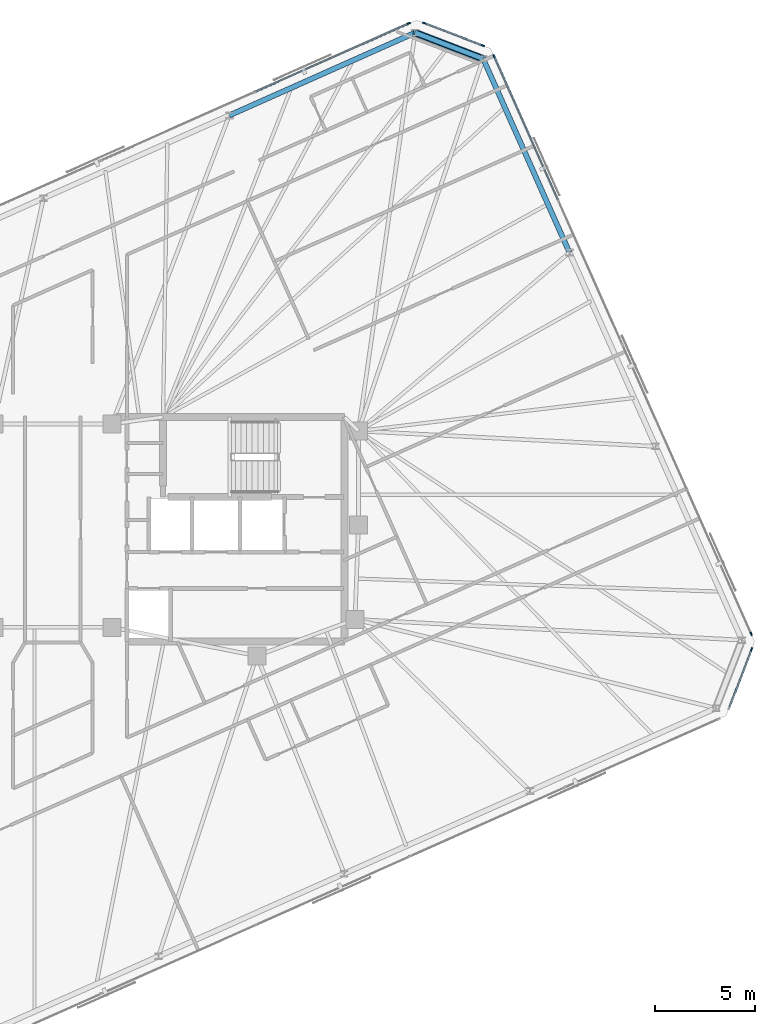
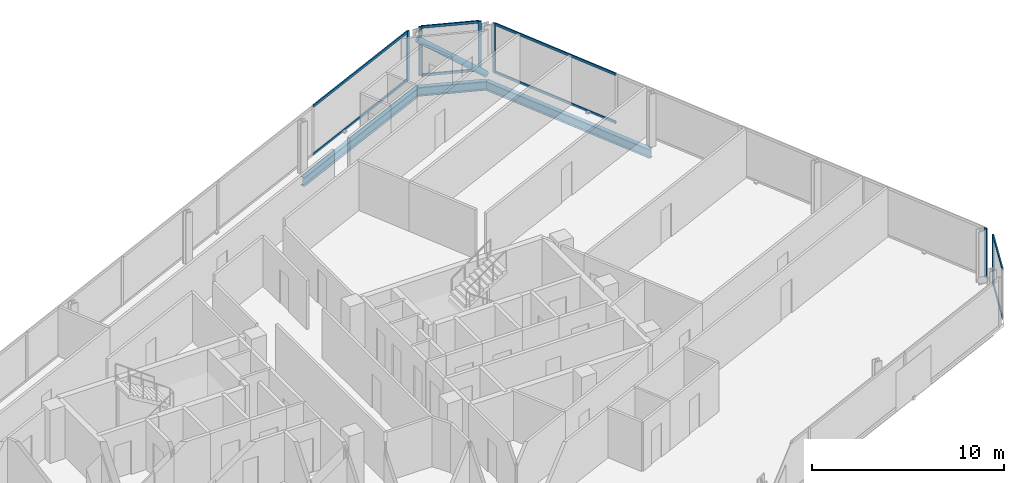
# One storey, part 11 of 18: 15 members, 3 beams, 4 elements without a shape of their own.
"""IFC4 building model written with IfcOpenShell, lengths in metres."""

import ifcopenshell
import ifcopenshell.guid

model = None  # the IFC model being written
_history = None  # IfcOwnerHistory: only IFC2X3 demands one
_inside = {}  # id of a spatial element -> (the spatial element, [elements in it])
_under = {}  # id of a project, library or spatial element -> (it, [spatial elements below it])
_declared = {}  # id of a project -> (the project, [libraries it declares])
_typed = {}  # id of a type object -> (the type object, [elements of that type])
_made_of = {}  # id of a material, layer set ... -> (it, [elements and type objects made of it])


def new_model(schema):
    """Start an empty IFC model of exactly this schema.

    Asked for "IFC4X3", IfcOpenShell would pick the latest addendum, in which some entities
    have other attributes; the version numbers below select the first issue.
    IFC2X3 requires an IfcOwnerHistory on every rooted entity: one is made here for all.
    """
    global model, _history
    if schema == "IFC4X3":
        model = ifcopenshell.file(schema_version=(4, 3, 0, 0))
    else:
        model = ifcopenshell.file(schema=schema)
    _inside.clear()
    _under.clear()
    _declared.clear()
    _typed.clear()
    _made_of.clear()
    _history = None
    if model.schema == "IFC2X3":
        org = make("IfcOrganization", Name="unknown")
        user = make(
            "IfcPersonAndOrganization",
            ThePerson=make("IfcPerson", FamilyName="unknown"),
            TheOrganization=org,
        )
        app = make(
            "IfcApplication",
            ApplicationDeveloper=org,
            Version="unknown",
            ApplicationFullName="unknown",
            ApplicationIdentifier="unknown",
        )
        _history = make(
            "IfcOwnerHistory",
            OwningUser=user,
            OwningApplication=app,
            ChangeAction="ADDED",
            CreationDate=0,
        )
    return model


def make(cls, **values):
    """One entity of the class cls with the attributes given. An attribute that is None is left unset."""
    return model.create_entity(
        cls, **{name: value for name, value in values.items() if value is not None}
    )


def rooted(cls, **values):
    """An entity with a GlobalId (a new one), such as an element, a storey or a relation."""
    return make(cls, GlobalId=ifcopenshell.guid.new(), OwnerHistory=_history, **values)


def si_unit(unit_type, name, prefix=None):
    """IfcSIUnit, for example si_unit("LENGTHUNIT", "METRE", prefix="MILLI")."""
    return make("IfcSIUnit", UnitType=unit_type, Prefix=prefix, Name=name)


def assignment(units):
    """IfcUnitAssignment: the units of a project."""
    return None if units is None else make("IfcUnitAssignment", Units=units)


def point(xyz):
    """IfcCartesianPoint."""
    return None if xyz is None else make("IfcCartesianPoint", Coordinates=xyz)


def direction(xyz):
    """IfcDirection."""
    return None if xyz is None else make("IfcDirection", DirectionRatios=xyz)


def frame(location, z_axis=None, x_axis=None):
    """IfcAxis2Placement3D, a coordinate frame: its origin and axes. An axis left out is left unset."""
    return make(
        "IfcAxis2Placement3D",
        Location=point(location),
        Axis=direction(z_axis),
        RefDirection=direction(x_axis),
    )


def frame_2d(location, x_axis=None):
    """IfcAxis2Placement2D, a coordinate frame in the plane: its origin and x axis."""
    return make(
        "IfcAxis2Placement2D", Location=point(location), RefDirection=direction(x_axis)
    )


def origin():
    """The frame at (0, 0, 0) with its axes left unset."""
    return frame((0.0, 0.0, 0.0))


def origin_2d():
    """The frame at (0, 0) in the plane with its x axis left unset."""
    return frame_2d((0.0, 0.0))


def place(relative_to, where):
    """IfcLocalPlacement: puts the frame where relative to a parent placement (None: the world)."""
    return make(
        "IfcLocalPlacement", PlacementRelTo=relative_to, RelativePlacement=where
    )


def context(
    kind, dimensions, precision=None, world=None, true_north=None, identifier=None
):
    """IfcGeometricRepresentationContext, for example the 3D "Model" context."""
    return make(
        "IfcGeometricRepresentationContext",
        ContextIdentifier=identifier,
        ContextType=kind,
        CoordinateSpaceDimension=dimensions,
        Precision=precision,
        WorldCoordinateSystem=world,
        TrueNorth=true_north,
    )


def subcontext(parent, identifier, kind, view, scale=None):
    """IfcGeometricRepresentationSubContext, for example "Body" below "Model"."""
    return make(
        "IfcGeometricRepresentationSubContext",
        ContextIdentifier=identifier,
        ContextType=kind,
        ParentContext=parent,
        TargetScale=scale,
        TargetView=view,
    )


def project(units=None, contexts=None):
    """IfcProject with its units and contexts."""
    return rooted(
        "IfcProject",
        Name="project",
        RepresentationContexts=contexts,
        UnitsInContext=assignment(units),
    )


def spatial(cls, under=None, at=None, **own):
    """A site, building, storey or space (cls), placed at a placement, below another one or the project."""
    s = rooted(cls, ObjectPlacement=at, **own)
    if under is not None:
        _under.setdefault(under.id(), (under, []))[1].append(s)
    return s


def profile(cls, at=None, kind="AREA", **sizes):
    """A parametric profile (cls). Its sizes go by their IFC names, for example OverallWidth=200.0."""
    return make(cls, ProfileType=kind, Position=at, **sizes)


def rectangle(**sizes):
    """IfcRectangleProfileDef."""
    return profile("IfcRectangleProfileDef", **sizes)


def hollow_circle(**sizes):
    """IfcCircleHollowProfileDef."""
    return profile("IfcCircleHollowProfileDef", **sizes)


def i_section(**sizes):
    """IfcIShapeProfileDef."""
    return profile("IfcIShapeProfileDef", **sizes)


def extrude(swept, where, along, depth):
    """IfcExtrudedAreaSolid: the profile swept, set in the frame where, extruded along a direction by depth."""
    return make(
        "IfcExtrudedAreaSolid",
        SweptArea=swept,
        Position=where,
        ExtrudedDirection=direction(along),
        Depth=depth,
    )


def shape(context_of_items, identifier, shape_type, items):
    """IfcShapeRepresentation: the items that make up one representation, for example the "Body"."""
    return make(
        "IfcShapeRepresentation",
        ContextOfItems=context_of_items,
        RepresentationIdentifier=identifier,
        RepresentationType=shape_type,
        Items=items,
    )


def material(Name=None, Category=None):
    """IfcMaterial."""
    return make("IfcMaterial", Name=Name, Category=Category)


def material_profile(
    of_material, cross_section, Name=None, Category=None, Priority=None
):
    """IfcMaterialProfile: a cross section and its material."""
    return make(
        "IfcMaterialProfile",
        Name=Name,
        Material=of_material,
        Profile=cross_section,
        Priority=Priority,
        Category=Category,
    )


def profile_set(profiles, Name=None, composite=None):
    """IfcMaterialProfileSet."""
    return make(
        "IfcMaterialProfileSet",
        Name=Name,
        MaterialProfiles=profiles,
        CompositeProfile=composite,
    )


def made_of(thing, what):
    """Note that an element or type object is made of a material, layer set ...; save() writes the relation."""
    if what is not None:
        _made_of.setdefault(what.id(), (what, []))[1].append(thing)
    return thing


def type_object(cls, material=None, **own):
    """A type object (cls), such as IfcWallType, which elements share."""
    return made_of(rooted(cls, **own), material)


def element(
    cls,
    number,
    at=None,
    inside=None,
    cuts=None,
    type_object=None,
    material=None,
    context=None,
    identifier="Body",
    shape_type=None,
    held_by="IfcProductDefinitionShape",
    body=None,
    shapes=None,
    **own,
):
    """One element of the class cls, such as IfcWall. Its Tag is "e" and its number.

    at: its placement. inside: the storey or other place that contains it. cuts: it is an
    opening in that element (IfcRelVoidsElement). A single representation is given by context,
    identifier, shape_type and body (its items); several are given by shapes. held_by: the class
    of the entity that holds the representations. save() writes the other relations.
    """
    e = rooted(cls, Tag="e%d" % number, ObjectPlacement=at, **own)
    if body is not None:
        shapes = [shape(context, identifier, shape_type, body)]
    if shapes is not None:
        e.Representation = make(held_by, Representations=shapes)
    if inside is not None:
        _inside.setdefault(inside.id(), (inside, []))[1].append(e)
    if cuts is not None:
        rooted(
            "IfcRelVoidsElement", RelatingBuildingElement=cuts, RelatedOpeningElement=e
        )
    if type_object is not None:
        _typed.setdefault(type_object.id(), (type_object, []))[1].append(e)
    return made_of(e, material)


def aggregate(whole, parts):
    """IfcRelAggregates: a whole, such as a stair, and the parts it consists of."""
    return rooted("IfcRelAggregates", RelatingObject=whole, RelatedObjects=parts)


def save(model, path):
    """Write the relations noted so far, then the file.

    IfcRelAggregates (storeys below a building ...), IfcRelContainedInSpatialStructure (elements
    in a storey), IfcRelDefinesByType, IfcRelAssociatesMaterial and IfcRelDeclares: one each for
    every whole, place, type object, material and project.
    """
    for whole, parts in _under.values():
        aggregate(whole, parts)
    for where, things in _inside.values():
        rooted(
            "IfcRelContainedInSpatialStructure",
            RelatedElements=things,
            RelatingStructure=where,
        )
    for kind, things in _typed.values():
        rooted("IfcRelDefinesByType", RelatedObjects=things, RelatingType=kind)
    for what, things in _made_of.values():
        rooted("IfcRelAssociatesMaterial", RelatedObjects=things, RelatingMaterial=what)
    for by, libraries in _declared.values():
        rooted("IfcRelDeclares", RelatingContext=by, RelatedDefinitions=libraries)
    model.write(path)


model = new_model("IFC4")

# Units and contexts
model_context = context("Model", 3, precision=1e-05, world=origin(), true_north=direction((0.0, 1.0)))
body_context = subcontext(model_context, "Body", "Model", "MODEL_VIEW")
ifc_project = project(units=[si_unit("LENGTHUNIT", "METRE"), si_unit("AREAUNIT", "SQUARE_METRE"), si_unit("VOLUMEUNIT", "CUBIC_METRE"), si_unit("PLANEANGLEUNIT", "RADIAN"), si_unit("MASSUNIT", "GRAM", prefix="KILO")], contexts=[model_context])

# Site, building, storey
site_placement = place(None, origin())
site = spatial("IfcSite", under=ifc_project, at=site_placement, CompositionType="ELEMENT")
building_placement = place(site_placement, origin())
building = spatial("IfcBuilding", under=site, at=building_placement, Name="Menara Jurai Vektor", CompositionType="ELEMENT")
storey_placement = place(building_placement, frame((0.0, 0.0, 285.25)))
storey = spatial("IfcBuildingStorey", under=building, at=storey_placement, Name="L76", CompositionType="ELEMENT", Elevation=285.25)

# Curtain wall, member
ifc_material_1 = material(Name="Anodised Pale Aluminium & Low-E Double Glazing", Category="aluminium")
curtain_wall_type = type_object("IfcCurtainWallType", Name="CW-BLK5", PredefinedType="NOTDEFINED", material=ifc_material_1)
curtain_wall_1_placement = place(storey_placement, origin())
curtain_wall_1 = element("IfcCurtainWall", 1, at=curtain_wall_1_placement, inside=storey, type_object=curtain_wall_type, Name="Unitised Curtain Wall L76 F02", PredefinedType="NOTDEFINED")
ifc_material_2 = material(Name="Anodised Pale Aluminium Mullion", Category="aluminium")
ifc_material_profile_1 = material_profile(ifc_material_2, rectangle(XDim=0.074951171875, YDim=0.175048828125, at=origin_2d()), Name="ALU MUL 75x175")
ifc_profile_set_1 = profile_set([ifc_material_profile_1], Name="Anodised Pale Aluminium Mullion")
member_type_1 = type_object("IfcMemberType", Name="CW-BLK5-MUL", PredefinedType="MULLION", material=ifc_profile_set_1)
member_1_placement = place(storey_placement, frame((34.87548828125, -5.997314453125, 0.0), z_axis=(0.0, 0.0, 1.0), x_axis=(-0.933578193639, 0.358373766287, 0.0)))
member_1 = element("IfcMember", 2, at=member_1_placement, type_object=member_type_1, Name="CW-05 mullion 2", PredefinedType="MULLION", context=body_context, shape_type="SweptSolid", body=[
    extrude(rectangle(XDim=0.074951171875, YDim=0.175048828125, at=origin_2d()), origin(), (0.0, 0.0, 1.0), 3.125),
])

# Curtain wall, members
curtain_wall_2_placement = place(storey_placement, origin())
curtain_wall_2 = element("IfcCurtainWall", 3, at=curtain_wall_2_placement, inside=storey, type_object=curtain_wall_type, Name="Unitised Curtain Wall L76 F03", PredefinedType="NOTDEFINED")
member_2_placement = place(storey_placement, frame((34.85546875, -5.22607421875, 0.0), z_axis=(0.0, 0.0, 1.0), x_axis=(-0.913546127706, -0.406735138086, 0.0)))
member_2 = element("IfcMember", 4, at=member_2_placement, type_object=member_type_1, Name="CW-05 mullion 1", PredefinedType="MULLION", context=body_context, shape_type="SweptSolid", body=[
    extrude(rectangle(XDim=0.074951171875, YDim=0.175048828125, at=origin_2d()), origin(), (0.0, 0.0, 1.0), 3.125),
])
member_3_placement = place(storey_placement, frame((22.016845703125, 23.610107421875, 0.0), z_axis=(0.0, 0.0, 1.0), x_axis=(-0.913546127706, -0.406735138086, 0.0)))
member_3 = element("IfcMember", 5, at=member_3_placement, type_object=member_type_1, Name="CW-05 mullion 5", PredefinedType="MULLION", context=body_context, shape_type="SweptSolid", body=[
    extrude(rectangle(XDim=0.074951171875, YDim=0.175048828125, at=origin_2d()), origin(), (0.0, 0.0, 1.0), 3.125),
])

curtain_wall_3_placement = place(storey_placement, origin())
curtain_wall_3 = element("IfcCurtainWall", 6, at=curtain_wall_3_placement, inside=storey, type_object=curtain_wall_type, Name="Unitised Curtain Wall L76 F04", PredefinedType="NOTDEFINED")
member_4_placement = place(storey_placement, frame((21.45703125, 24.14111328125, 0.0), z_axis=(0.0, 0.0, 1.0), x_axis=(-0.358373766287, -0.933578193639, 0.0)))
member_4 = element("IfcMember", 7, at=member_4_placement, type_object=member_type_1, Name="CW-05 mullion 1", PredefinedType="MULLION", context=body_context, shape_type="SweptSolid", body=[
    extrude(rectangle(XDim=0.074951171875, YDim=0.175048828125, at=origin_2d()), origin(), (0.0, 0.0, 1.0), 3.125),
])
member_5_placement = place(storey_placement, frame((18.539794921875, 25.2607421875, 0.0), z_axis=(0.0, 0.0, 1.0), x_axis=(-0.358373766287, -0.933578193639, 0.0)))
member_5 = element("IfcMember", 8, at=member_5_placement, type_object=member_type_1, Name="CW-05 mullion 2", PredefinedType="MULLION", context=body_context, shape_type="SweptSolid", body=[
    extrude(rectangle(XDim=0.074951171875, YDim=0.175048828125, at=origin_2d()), origin(), (0.0, 0.0, 1.0), 3.125),
])

# Curtain wall, member
curtain_wall_4_placement = place(storey_placement, origin())
curtain_wall_4 = element("IfcCurtainWall", 9, at=curtain_wall_4_placement, inside=storey, type_object=curtain_wall_type, Name="Unitised Curtain Wall L76 F05", PredefinedType="NOTDEFINED")
member_6_placement = place(storey_placement, frame((17.768798828125, 25.24072265625, 0.0), z_axis=(0.0, 0.0, 1.0), x_axis=(0.406735498684, -0.913545967158, 0.0)))
member_6 = element("IfcMember", 10, at=member_6_placement, type_object=member_type_1, Name="CW-05 mullion 1", PredefinedType="MULLION", context=body_context, shape_type="SweptSolid", body=[
    extrude(rectangle(XDim=0.074951171875, YDim=0.175048828125, at=origin_2d()), origin(), (0.0, 0.0, 1.0), 3.125),
])

# Member
ifc_material_3 = material(Name="Anodised Pale Aluminium Transom", Category="aluminium")
ifc_material_profile_2 = material_profile(ifc_material_3, rectangle(XDim=0.074951171875, YDim=0.155029296875, at=origin_2d()), Name="ALU TRN 75x155")
ifc_profile_set_2 = profile_set([ifc_material_profile_2], Name="Anodised Pale Aluminium Transom")
member_type_2 = type_object("IfcMemberType", Name="CW-BLK5-TRN", PredefinedType="USERDEFINED", material=ifc_profile_set_2)
member_7_placement = place(storey_placement, frame((33.769287109375, -8.87939453125, 0.03759765625), z_axis=(0.358324523823, 0.933597094911, 0.0), x_axis=(-0.933597094911, 0.358324523823, 0.0)))
member_7 = element("IfcMember", 11, at=member_7_placement, type_object=member_type_2, Name="CW-05 transom 1.1", ObjectType="TRANSOM", PredefinedType="USERDEFINED", context=body_context, shape_type="SweptSolid", body=[
    extrude(rectangle(XDim=0.074951171875, YDim=0.155029296875, at=origin_2d()), origin(), (0.0, 0.0, 1.0), 3.049560546875),
])

member_8_placement = place(storey_placement, frame((33.769287109375, -8.87939453125, 3.08740234375), z_axis=(0.358324523823, 0.933597094911, 0.0), x_axis=(-0.933597094911, 0.358324523823, 0.0)))
member_8 = element("IfcMember", 12, at=member_8_placement, type_object=member_type_2, Name="CW-05 transom 1.2", ObjectType="TRANSOM", PredefinedType="USERDEFINED", context=body_context, shape_type="SweptSolid", body=[
    extrude(rectangle(XDim=0.074951171875, YDim=0.155029296875, at=origin_2d()), origin(), (0.0, 0.0, 1.0), 3.049560546875),
])

aggregate(curtain_wall_1, [member_1, member_7, member_8])

member_9_placement = place(storey_placement, frame((25.20361328125, 16.452392578125, 0.03759765625), z_axis=(-0.406751345283, 0.913538911656, 0.0), x_axis=(-0.913538911656, -0.406751345283, 0.0)))
member_9 = element("IfcMember", 13, at=member_9_placement, type_object=member_type_2, Name="CW-05 transom 4.1", ObjectType="TRANSOM", PredefinedType="USERDEFINED", context=body_context, shape_type="SweptSolid", body=[
    extrude(rectangle(XDim=0.074951171875, YDim=0.155029296875, at=origin_2d()), origin(), (0.0, 0.0, 1.0), 7.79736328125),
])

member_10_placement = place(storey_placement, frame((25.20361328125, 16.452392578125, 3.08740234375), z_axis=(-0.406751345283, 0.913538911656, 0.0), x_axis=(-0.913538911656, -0.406751345283, 0.0)))
member_10 = element("IfcMember", 14, at=member_10_placement, type_object=member_type_2, Name="CW-05 transom 4.2", ObjectType="TRANSOM", PredefinedType="USERDEFINED", context=body_context, shape_type="SweptSolid", body=[
    extrude(rectangle(XDim=0.074951171875, YDim=0.155029296875, at=origin_2d()), origin(), (0.0, 0.0, 1.0), 7.79736328125),
])

aggregate(curtain_wall_2, [member_2, member_3, member_9, member_10])

member_11_placement = place(storey_placement, frame((21.422119140625, 24.154541015625, 0.03759765625), z_axis=(-0.933597094911, 0.358324523823, 0.0), x_axis=(-0.358324523823, -0.933597094911, 0.0)))
member_11 = element("IfcMember", 15, at=member_11_placement, type_object=member_type_2, Name="CW-05 transom 1.1", ObjectType="TRANSOM", PredefinedType="USERDEFINED", context=body_context, shape_type="SweptSolid", body=[
    extrude(rectangle(XDim=0.074951171875, YDim=0.155029296875, at=origin_2d()), origin(), (0.0, 0.0, 1.0), 3.049560546875),
])

member_12_placement = place(storey_placement, frame((21.422119140625, 24.154541015625, 3.08740234375), z_axis=(-0.933597094911, 0.358324523823, 0.0), x_axis=(-0.358324523823, -0.933597094911, 0.0)))
member_12 = element("IfcMember", 16, at=member_12_placement, type_object=member_type_2, Name="CW-05 transom 1.2", ObjectType="TRANSOM", PredefinedType="USERDEFINED", context=body_context, shape_type="SweptSolid", body=[
    extrude(rectangle(XDim=0.074951171875, YDim=0.155029296875, at=origin_2d()), origin(), (0.0, 0.0, 1.0), 3.049560546875),
])

aggregate(curtain_wall_3, [member_4, member_5, member_11, member_12])

member_13_placement = place(storey_placement, frame((17.734375, 25.225341796875, 0.03759765625), z_axis=(-0.913549007168, -0.406728670618, 0.0), x_axis=(0.406728670618, -0.913549007168, 0.0)))
member_13 = element("IfcMember", 17, at=member_13_placement, type_object=member_type_2, Name="CW-05 transom 1.1", ObjectType="TRANSOM", PredefinedType="USERDEFINED", context=body_context, shape_type="SweptSolid", body=[
    extrude(rectangle(XDim=0.074951171875, YDim=0.155029296875, at=origin_2d()), origin(), (0.0, 0.0, 1.0), 8.327392578125),
])

member_14_placement = place(storey_placement, frame((17.734375, 25.225341796875, 3.08740234375), z_axis=(-0.913549007168, -0.406728670618, 0.0), x_axis=(0.406728670618, -0.913549007168, 0.0)))
member_14 = element("IfcMember", 18, at=member_14_placement, type_object=member_type_2, Name="CW-05 transom 1.2", ObjectType="TRANSOM", PredefinedType="USERDEFINED", context=body_context, shape_type="SweptSolid", body=[
    extrude(rectangle(XDim=0.074951171875, YDim=0.155029296875, at=origin_2d()), origin(), (0.0, 0.0, 1.0), 8.327392578125),
])

aggregate(curtain_wall_4, [member_6, member_13, member_14])

ifc_material_4 = material(Name="Steel S460", Category="steel")
ifc_material_profile_3 = material_profile(ifc_material_4, hollow_circle(Radius=0.177734375, WallThickness=0.01611328125, at=origin_2d()), Name="CHS 355.6x16")
ifc_profile_set_3 = profile_set([ifc_material_profile_3], Name="Steel S460")
member_type_3 = type_object("IfcMemberType", Name="STR-BR-356", PredefinedType="BRACE", material=ifc_profile_set_3)
member_15_placement = place(storey_placement, frame((21.4755859375, 23.473388671875, 0.14990234375), z_axis=(-0.757042028889, 0.2906257681, 0.585170085882), x_axis=(-0.358394346877, -0.933570293083, 0.0)))
element("IfcMember", 19, at=member_15_placement, inside=storey, type_object=member_type_3, Name="Exoskeleton Corner Brace L76-2", PredefinedType="BRACE", context=body_context, shape_type="SweptSolid", body=[
    extrude(hollow_circle(Radius=0.177734375, WallThickness=0.01611328125, at=origin_2d()), origin(), (0.0, 0.0, 1.0), 4.48583984375),
])

# Beams
ifc_material_5 = material(Name="Steel S355", Category="steel")
ifc_material_profile_4 = material_profile(ifc_material_5, i_section(OverallWidth=0.260009765625, OverallDepth=0.570068359375, WebThickness=0.013916015625, FlangeThickness=0.02392578125, at=origin_2d()), Name="PG 570x260x145")
ifc_profile_set_4 = profile_set([ifc_material_profile_4], Name="Steel S355")
beam_type = type_object("IfcBeamType", Name="STR-SP-570", PredefinedType="SPANDREL", material=ifc_profile_set_4)
beam_1_placement = place(storey_placement, frame((25.781005859375, 13.80322265625, -0.510009765625), z_axis=(-0.40673543049, 0.91354599752, 0.0), x_axis=(-0.91354599752, -0.40673543049, 0.0)))
element("IfcBeam", 20, at=beam_1_placement, inside=storey, type_object=beam_type, Name="Exoskeleton Spandrel Beam L76-09", PredefinedType="SPANDREL", context=body_context, shape_type="SweptSolid", body=[
    extrude(i_section(OverallWidth=0.260009765625, OverallDepth=0.570068359375, WebThickness=0.013916015625, FlangeThickness=0.02392578125, at=origin_2d()), origin(), (0.0, 0.0, 1.0), 10.585205078125),
])
beam_2_placement = place(storey_placement, frame((21.4755859375, 23.473388671875, -0.510009765625), z_axis=(-0.933570293083, 0.358394346877, 0.0), x_axis=(-0.358394346877, -0.933570293083, 0.0)))
element("IfcBeam", 21, at=beam_2_placement, inside=storey, type_object=beam_type, Name="Exoskeleton Spandrel Beam L76-10", PredefinedType="SPANDREL", context=body_context, shape_type="SweptSolid", body=[
    extrude(i_section(OverallWidth=0.260009765625, OverallDepth=0.570068359375, WebThickness=0.013916015625, FlangeThickness=0.02392578125, at=origin_2d()), origin(), (0.0, 0.0, 1.0), 3.6376953125),
])
beam_3_placement = place(storey_placement, frame((18.07958984375, 24.777099609375, -0.510009765625), z_axis=(-0.913545561407, -0.406736410017, 0.0), x_axis=(0.406736410017, -0.913545561407, 0.0)))
element("IfcBeam", 22, at=beam_3_placement, inside=storey, type_object=beam_type, Name="Exoskeleton Spandrel Beam L76-11", PredefinedType="SPANDREL", context=body_context, shape_type="SweptSolid", body=[
    extrude(i_section(OverallWidth=0.260009765625, OverallDepth=0.570068359375, WebThickness=0.013916015625, FlangeThickness=0.02392578125, at=origin_2d()), origin(), (0.0, 0.0, 1.0), 10.1513671875),
])

save(model, "model.ifc")
